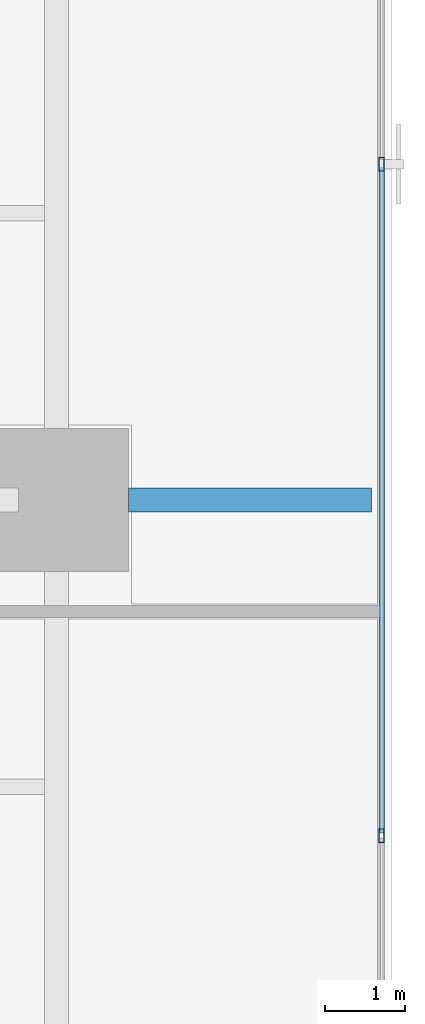
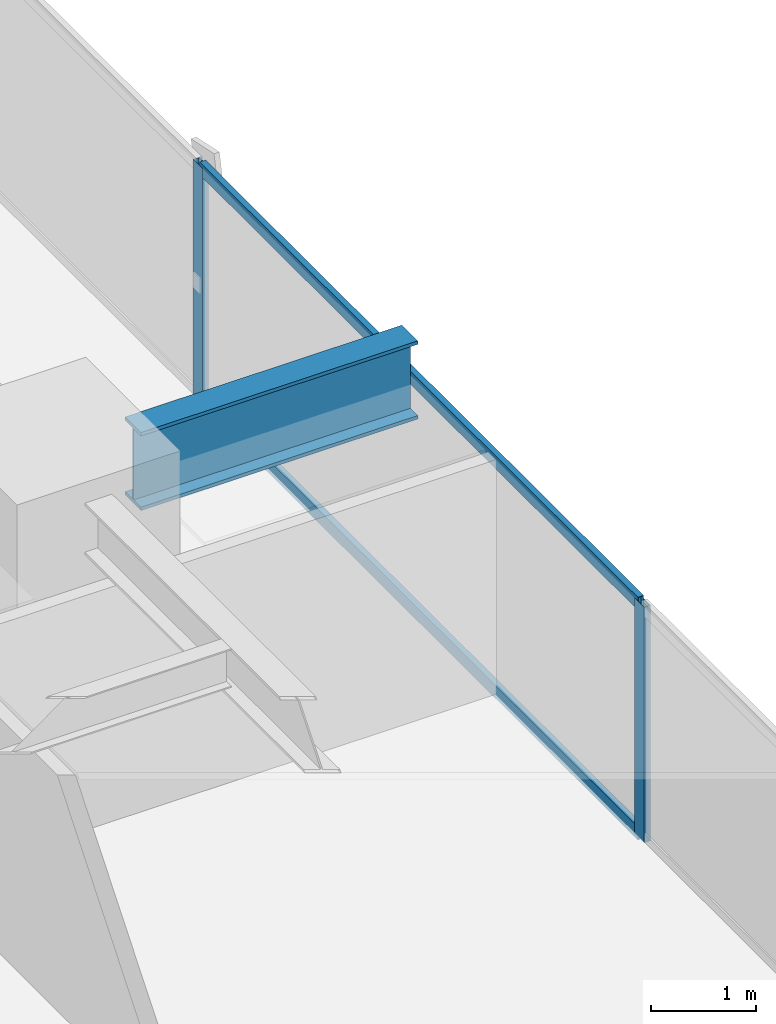
# One storey, part 14 of 32: 4 members, 1 beam, 1 element without a shape of its own.
"""IFC4 building model written with IfcOpenShell, lengths in metres."""

from ifc_helpers import new_model, si_unit, direction, frame, origin, origin_2d, place, context, subcontext, project, spatial, hollow_rectangle, i_section, extrude, source, transform, mapped, material, layer, layer_set, material_profile, profile_set, type_object, element, aggregate, save


model = new_model("IFC4")

# Units and contexts
model_context = context("Model", 3, precision=1e-05, world=origin(), true_north=direction((0.0, 1.0)))
body_context = subcontext(model_context, "Body", "Model", "MODEL_VIEW")
ifc_project = project(units=[si_unit("LENGTHUNIT", "METRE"), si_unit("AREAUNIT", "SQUARE_METRE"), si_unit("VOLUMEUNIT", "CUBIC_METRE"), si_unit("PLANEANGLEUNIT", "RADIAN"), si_unit("MASSUNIT", "GRAM", prefix="KILO")], contexts=[model_context])

# Site, building, storey
site_placement = place(None, origin())
site = spatial("IfcSite", under=ifc_project, at=site_placement, CompositionType="ELEMENT")
building_placement = place(site_placement, origin())
building = spatial("IfcBuilding", under=site, at=building_placement, Name="Sumidabori Civic Tower", CompositionType="ELEMENT")
storey_placement = place(building_placement, frame((0.0, 0.0, 45.199951171875)))
storey = spatial("IfcBuildingStorey", under=building, at=storey_placement, Name="L11", CompositionType="ELEMENT", Elevation=45.199951171875)

# Beam
ifc_material_1 = material(Name="Steel SN490", Category="steel")
ifc_material_profile_1 = material_profile(ifc_material_1, i_section(OverallWidth=0.302001953125, OverallDepth=0.909912109375, WebThickness=0.02099609375, FlangeThickness=0.0400390625, at=origin_2d()), Name="HE 900 M")
ifc_profile_set_1 = profile_set([ifc_material_profile_1], Name="Steel SN490")
beam_type = type_object("IfcBeamType", Name="BM-Z1-EDGE", PredefinedType="SPANDREL", material=ifc_profile_set_1)
shared_shape_1 = source(origin(), body_context, "Body", "SweptSolid", [
    extrude(i_section(OverallWidth=0.302001953125, OverallDepth=0.909912109375, WebThickness=0.02099609375, FlangeThickness=0.0400390625, at=origin_2d()), origin(), (0.0, 0.0, 1.0), 3.050048828125),
])
beam_placement = place(storey_placement, frame((23.699951171875, 0.0, 2.905029296875), z_axis=(1.0, 0.0, 0.0), x_axis=(0.0, 1.0, 0.0)))
element("IfcBeam", 1, at=beam_placement, inside=storey, type_object=beam_type, Name="Perimeter Overhang Beam L11 E-45", PredefinedType="SPANDREL", context=body_context, shape_type="MappedRepresentation", body=[
    mapped(shared_shape_1, transform((0.0, 0.0, 0.0), x_axis=(1.0, 0.0, 0.0), y_axis=(0.0, 1.0, 0.0), z_axis=(0.0, 0.0, 1.0), scale=1.0)),
])

# Curtain wall, members
ifc_material_2 = material(Name="Anodised Bronze Aluminium AW-6063-T6", Category="aluminium")
ifc_layer = layer(ifc_material_2, 0.179931640625, Name="Anodised Bronze Aluminium AW-6063-T6")
ifc_layer_set = layer_set([ifc_layer], Name="Anodised Bronze Aluminium AW-6063-T6")
curtain_wall_type = type_object("IfcCurtainWallType", Name="CW-SYS-2", PredefinedType="NOTDEFINED", material=ifc_layer_set)
curtain_wall_placement = place(storey_placement, origin())
curtain_wall = element("IfcCurtainWall", 2, at=curtain_wall_placement, inside=storey, type_object=curtain_wall_type, Name="Curtain Wall CW:L11:R04", PredefinedType="NOTDEFINED")
ifc_material_profile_2 = material_profile(ifc_material_2, hollow_rectangle(XDim=0.070068359375, YDim=0.179931640625, WallThickness=0.006103515625, at=origin_2d()), Name="ALU MULLION 180x70")
ifc_profile_set_2 = profile_set([ifc_material_profile_2], Name="Anodised Bronze Aluminium AW-6063-T6")
member_type_1 = type_object("IfcMemberType", Name="CW-MUL-180", PredefinedType="MULLION", material=ifc_profile_set_2)
shared_shape_2 = source(origin(), body_context, "Body", "SweptSolid", [
    extrude(hollow_rectangle(XDim=0.070068359375, YDim=0.179931640625, WallThickness=0.006103515625, at=origin_2d()), origin(), (0.0, 0.0, 1.0), 2.739990234375),
])
member_1_placement = place(storey_placement, frame((26.8798828125, -4.214111328125, 0.0), z_axis=(0.0, 0.0, 1.0), x_axis=(-1.0, 0.0, 0.0)))
member_1 = element("IfcMember", 3, at=member_1_placement, type_object=member_type_1, Name="CW-2 mullion 3", PredefinedType="MULLION", context=body_context, shape_type="MappedRepresentation", body=[
    mapped(shared_shape_2, transform((0.0, 0.0, 0.0), x_axis=(1.0, 0.0, 0.0), y_axis=(0.0, 1.0, 0.0), z_axis=(0.0, 0.0, 1.0), scale=1.0)),
])
member_2_placement = place(storey_placement, frame((26.8798828125, 4.214111328125, 0.0), z_axis=(0.0, 0.0, 1.0), x_axis=(-1.0, 0.0, 0.0)))
member_2 = element("IfcMember", 4, at=member_2_placement, type_object=member_type_1, Name="CW-2 mullion 4", PredefinedType="MULLION", context=body_context, shape_type="MappedRepresentation", body=[
    mapped(shared_shape_2, transform((0.0, 0.0, 0.0), x_axis=(1.0, 0.0, 0.0), y_axis=(0.0, 1.0, 0.0), z_axis=(0.0, 0.0, 1.0), scale=1.0)),
])
ifc_material_profile_3 = material_profile(ifc_material_2, hollow_rectangle(XDim=0.06494140625, YDim=0.14990234375, WallThickness=0.0048828125, at=origin_2d()), Name="ALU TRANSOM 150x65")
ifc_profile_set_3 = profile_set([ifc_material_profile_3], Name="Anodised Bronze Aluminium AW-6063-T6")
member_type_2 = type_object("IfcMemberType", Name="CW-TRN-150", PredefinedType="USERDEFINED", material=ifc_profile_set_3)
shared_shape_3 = source(origin(), body_context, "Body", "SweptSolid", [
    extrude(hollow_rectangle(XDim=0.06494140625, YDim=0.14990234375, WallThickness=0.0048828125, at=origin_2d()), origin(), (0.0, 0.0, 1.0), 8.35791015625),
])
member_3_placement = place(storey_placement, frame((26.8798828125, -4.178955078125, 0.032470703125), z_axis=(0.0, 1.0, 0.0), x_axis=(-1.0, 0.0, 0.0)))
member_3 = element("IfcMember", 5, at=member_3_placement, type_object=member_type_2, Name="CW-2 transom 3.1", ObjectType="TRANSOM", PredefinedType="USERDEFINED", context=body_context, shape_type="MappedRepresentation", body=[
    mapped(shared_shape_3, transform((0.0, 0.0, 0.0), x_axis=(1.0, 0.0, 0.0), y_axis=(0.0, 1.0, 0.0), z_axis=(0.0, 0.0, 1.0), scale=1.0)),
])
member_4_placement = place(storey_placement, frame((26.8798828125, -4.178955078125, 2.70751953125), z_axis=(0.0, 1.0, 0.0), x_axis=(-1.0, 0.0, 0.0)))
member_4 = element("IfcMember", 6, at=member_4_placement, type_object=member_type_2, Name="CW-2 transom 3.2", ObjectType="TRANSOM", PredefinedType="USERDEFINED", context=body_context, shape_type="MappedRepresentation", body=[
    mapped(shared_shape_3, transform((0.0, 0.0, 0.0), x_axis=(1.0, 0.0, 0.0), y_axis=(0.0, 1.0, 0.0), z_axis=(0.0, 0.0, 1.0), scale=1.0)),
])
aggregate(curtain_wall, [member_1, member_2, member_3, member_4])

save(model, "model.ifc")
